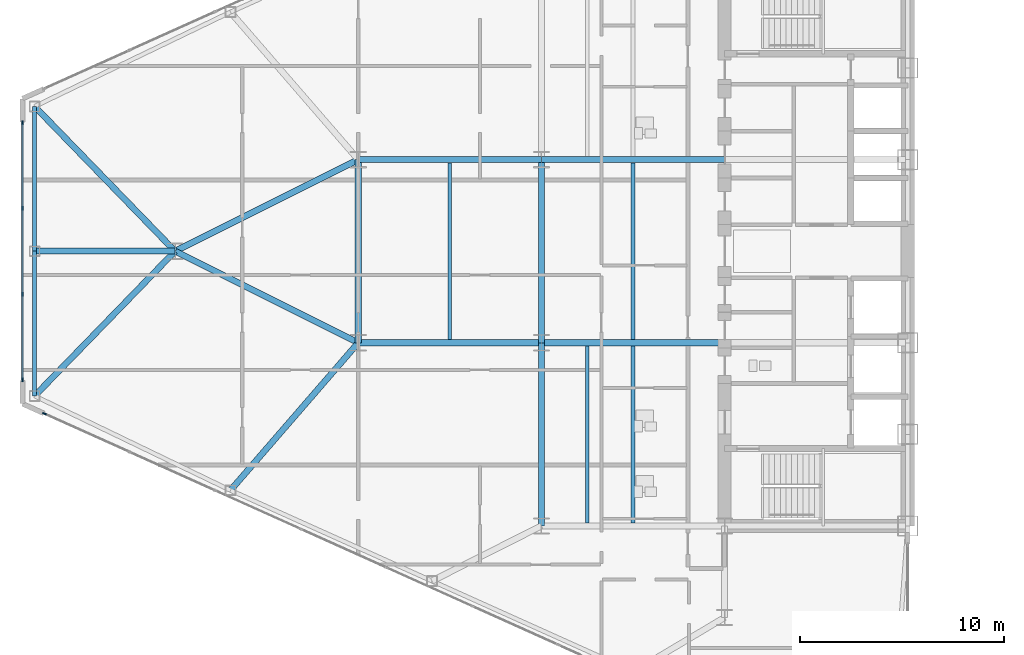
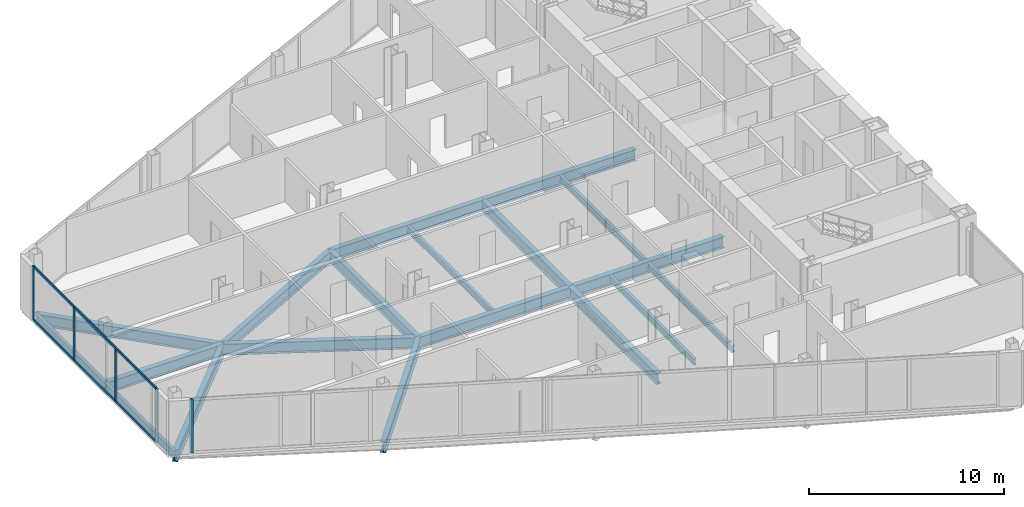
# One storey, part 5 of 27: 19 beams, 7 members, 2 elements without a shape of their own.
"""IFC4 building model written with IfcOpenShell, lengths in metres."""

from ifc_helpers import new_model, si_unit, direction, frame, origin, origin_2d, place, context, subcontext, project, spatial, rectangle, i_section, extrude, source, transform, mapped, material, layer, layer_set, material_profile, profile_set, type_object, type_shapes, element, aggregate, save


model = new_model("IFC4")

# Units and contexts
model_context = context("Model", 3, precision=1e-05, world=origin(), true_north=direction((0.0, 1.0)))
body_context = subcontext(model_context, "Body", "Model", "MODEL_VIEW")
ifc_project = project(units=[si_unit("LENGTHUNIT", "METRE"), si_unit("AREAUNIT", "SQUARE_METRE"), si_unit("VOLUMEUNIT", "CUBIC_METRE"), si_unit("PLANEANGLEUNIT", "RADIAN"), si_unit("MASSUNIT", "GRAM", prefix="KILO")], contexts=[model_context])

# Site, building, storey
site_placement = place(None, origin())
site = spatial("IfcSite", under=ifc_project, at=site_placement, CompositionType="ELEMENT")
building_placement = place(site_placement, origin())
building = spatial("IfcBuilding", under=site, at=building_placement, Name="Seokmaru Belvedere", CompositionType="ELEMENT")
storey_placement = place(building_placement, frame((0.0, 0.0, 103.199951171875)))
storey = spatial("IfcBuildingStorey", under=building, at=storey_placement, Name="L27", CompositionType="ELEMENT", Elevation=103.199951171875)

# Beams
ifc_material_1 = material(Name="Steel SM355 (355 MPa)", Category="steel")
ifc_material_profile_1 = material_profile(ifc_material_1, i_section(OverallWidth=0.300048828125, OverallDepth=0.699951171875, WebThickness=0.012939453125, FlangeThickness=0.02392578125, at=origin_2d()), Name="H-700x300x13x24")
ifc_profile_set_1 = profile_set([ifc_material_profile_1], Name="Steel SM355 (355 MPa)")
beam_type_1 = type_object("IfcBeamType", Name="Primary Floor Girder H-700", PredefinedType="BEAM", material=ifc_profile_set_1)
shared_shape_1 = source(origin(), body_context, "Body", "SweptSolid", [
    extrude(i_section(OverallWidth=0.300048828125, OverallDepth=0.699951171875, WebThickness=0.012939453125, FlangeThickness=0.02392578125, at=origin_2d()), origin(), (0.0, 0.0, 1.0), 9.0),
])
for number, where, z_axis, x_axis, name in (
    (1, (-45.5, -13.5, -0.570068359375), (0.0, 1.0, 0.0), (-1.0, 0.0, 0.0), "L27 W Interior Grid Girder 1"),
    (2, (-45.5, -4.5, -0.570068359375), (0.0, 1.0, 0.0), (-1.0, 0.0, 0.0), "L27 W Interior Grid Girder 2"),
    (3, (-45.5, -4.5, -0.570068359375), (1.0, 0.0, 0.0), (0.0, 1.0, 0.0), "L27 W Wing Primary Girder 2"),
    (4, (-45.5, 4.5, -0.570068359375), (1.0, 0.0, 0.0), (0.0, 1.0, 0.0), "L27 W Wing Primary Girder 3"),
    (5, (-54.5, -4.5, -0.570068359375), (1.0, 0.0, 0.0), (0.0, 1.0, 0.0), "L27 W Outer Wing Girder 1"),
    (6, (-54.5, 4.5, -0.570068359375), (1.0, 0.0, 0.0), (0.0, 1.0, 0.0), "L27 W Outer Wing Girder 2"),
    (7, (-54.5, -4.5, -0.570068359375), (0.0, 1.0, 0.0), (-1.0, 0.0, 0.0), "L27 W Apex Frame Girder"),
):
    element("IfcBeam", number, at=place(storey_placement, frame(where, z_axis=z_axis, x_axis=x_axis)), inside=storey, type_object=beam_type_1, Name=name, PredefinedType="BEAM", context=body_context, shape_type="MappedRepresentation", body=[
        mapped(shared_shape_1, transform((0.0, 0.0, 0.0), scale=1.0)),
    ])
shared_shape_2 = source(origin(), body_context, "Body", "SweptSolid", [
    extrude(i_section(OverallWidth=0.300048828125, OverallDepth=0.699951171875, WebThickness=0.012939453125, FlangeThickness=0.02392578125, at=origin_2d()), origin(), (0.0, 0.0, 1.0), 10.062255859375),
])
for number, where, z_axis, x_axis, name in (
    (8, (-54.5, -4.5, -0.570068359375), (-0.894427191, 0.4472135955, 0.0), (-0.4472135955, -0.894427191, 0.0), "L27 W Apex Converging Girder 1"),
    (9, (-54.5, 4.5, -0.570068359375), (-0.894427191, -0.4472135955, 0.0), (0.4472135955, -0.894427191, 0.0), "L27 W Apex Converging Girder 2"),
):
    element("IfcBeam", number, at=place(storey_placement, frame(where, z_axis=z_axis, x_axis=x_axis)), inside=storey, type_object=beam_type_1, Name=name, PredefinedType="BEAM", context=body_context, shape_type="MappedRepresentation", body=[
        mapped(shared_shape_2, transform((0.0, 0.0, 0.0), scale=1.0)),
    ])
ifc_material_profile_2 = material_profile(ifc_material_1, i_section(OverallWidth=0.18505859375, OverallDepth=0.389892578125, WebThickness=0.008056640625, FlangeThickness=0.011962890625, at=origin_2d()), Name="H-390x185x8x12")
ifc_profile_set_2 = profile_set([ifc_material_profile_2], Name="Steel SM355 (355 MPa)")
beam_type_2 = type_object("IfcBeamType", Name="Secondary Floor Joist H-350", PredefinedType="JOIST", material=ifc_profile_set_2)
shared_shape_3 = source(origin(), body_context, "Body", "SweptSolid", [
    extrude(i_section(OverallWidth=0.18505859375, OverallDepth=0.389892578125, WebThickness=0.008056640625, FlangeThickness=0.011962890625, at=origin_2d()), origin(), (0.0, 0.0, 1.0), 8.68994140625),
])
type_shapes(beam_type_2, [shared_shape_3])
for number, where, z_axis, x_axis, name in (
    (10, (-43.25, -13.344970703125, -0.4150390625), (0.0, 1.0, 0.0), (-1.0, 0.0, 0.0), "L27 W Wing Inner Secondary Joist 1"),
    (11, (-41.0, -13.344970703125, -0.4150390625), (0.0, 1.0, 0.0), (-1.0, 0.0, 0.0), "L27 W Secondary Floor Joist 1"),
    (12, (-41.0, -4.344970703125, -0.4150390625), (0.0, 1.0, 0.0), (-1.0, 0.0, 0.0), "L27 W Secondary Floor Joist 2"),
    (13, (-50.0, -4.344970703125, -0.4150390625), (0.0, 1.0, 0.0), (-1.0, 0.0, 0.0), "L27 W Outer Bay Secondary Joist"),
):
    element("IfcBeam", number, at=place(storey_placement, frame(where, z_axis=z_axis, x_axis=x_axis)), inside=storey, type_object=beam_type_2, Name=name, PredefinedType="JOIST", context=body_context, shape_type="MappedRepresentation", body=[
        mapped(shared_shape_3, transform((0.0, 0.0, 0.0), scale=1.0)),
    ])
ifc_material_profile_3 = material_profile(ifc_material_1, i_section(OverallWidth=0.199951171875, OverallDepth=0.5, WebThickness=0.010009765625, FlangeThickness=0.01611328125, at=origin_2d()), Name="H-500x200x10x16")
ifc_profile_set_3 = profile_set([ifc_material_profile_3], Name="Steel SM355 (355 MPa)")
beam_type_3 = type_object("IfcBeamType", Name="Perimeter Spandrel Beam H-500", PredefinedType="SPANDREL", material=ifc_profile_set_3)
shared_shape_4 = source(origin(), body_context, "Body", "SweptSolid", [
    extrude(i_section(OverallWidth=0.199951171875, OverallDepth=0.5, WebThickness=0.010009765625, FlangeThickness=0.01611328125, at=origin_2d()), origin(), (0.0, 0.0, 1.0), 7.112060546875),
])
type_shapes(beam_type_3, [shared_shape_4])
for number, where, z_axis, x_axis, name in (
    (14, (-70.39990234375, -7.112060546875, -0.469970703125), (0.0, 1.0, 0.0), (-1.0, 0.0, 0.0), "L27 W Faceted Apex Spandrel S"),
    (15, (-70.39990234375, 0.0, -0.469970703125), (0.0, 1.0, 0.0), (-1.0, 0.0, 0.0), "L27 W Faceted Apex Spandrel N"),
):
    element("IfcBeam", number, at=place(storey_placement, frame(where, z_axis=z_axis, x_axis=x_axis)), inside=storey, type_object=beam_type_3, Name=name, PredefinedType="SPANDREL", context=body_context, shape_type="MappedRepresentation", body=[
        mapped(shared_shape_4, transform((0.0, 0.0, 0.0), scale=1.0)),
    ])
shared_shape_5 = source(origin(), body_context, "Body", "SweptSolid", [
    extrude(i_section(OverallWidth=0.300048828125, OverallDepth=0.699951171875, WebThickness=0.012939453125, FlangeThickness=0.02392578125, at=origin_2d()), origin(), (0.0, 0.0, 1.0), 9.589599609375),
])
beam_1_placement = place(storey_placement, frame((-60.777587890625, -11.749267578125, -0.570068359375), z_axis=(0.654626140929, 0.755952786629, 0.0), x_axis=(-0.755952786629, 0.654626140929, 0.0)))
element("IfcBeam", 16, at=beam_1_placement, inside=storey, type_object=beam_type_1, Name="L27 W Flank Radial Floor Girder S-3", PredefinedType="BEAM", context=body_context, shape_type="MappedRepresentation", body=[
    mapped(shared_shape_5, transform((0.0, 0.0, 0.0), scale=1.0)),
])
shared_shape_6 = source(origin(), body_context, "Body", "SweptSolid", [
    extrude(i_section(OverallWidth=0.300048828125, OverallDepth=0.699951171875, WebThickness=0.012939453125, FlangeThickness=0.02392578125, at=origin_2d()), origin(), (0.0, 0.0, 1.0), 9.9091796875),
])
for number, where, z_axis, x_axis, name in (
    (17, (-70.39990234375, -7.112060546875, -0.570068359375), (0.6963205089, 0.717730972499, 0.0), (-0.717730972499, 0.6963205089, 0.0), "L27 W Apex Radial Floor Girder 1"),
    (18, (-70.39990234375, 7.112060546875, -0.570068359375), (0.6963205089, -0.717730972499, 0.0), (0.717730972499, 0.6963205089, 0.0), "L27 W Apex Radial Floor Girder 2"),
):
    element("IfcBeam", number, at=place(storey_placement, frame(where, z_axis=z_axis, x_axis=x_axis)), inside=storey, type_object=beam_type_1, Name=name, PredefinedType="BEAM", context=body_context, shape_type="MappedRepresentation", body=[
        mapped(shared_shape_6, transform((0.0, 0.0, 0.0), scale=1.0)),
    ])
shared_shape_7 = source(origin(), body_context, "Body", "SweptSolid", [
    extrude(i_section(OverallWidth=0.300048828125, OverallDepth=0.699951171875, WebThickness=0.012939453125, FlangeThickness=0.02392578125, at=origin_2d()), origin(), (0.0, 0.0, 1.0), 6.89990234375),
])
type_shapes(beam_type_1, [shared_shape_1, shared_shape_2, shared_shape_5, shared_shape_6, shared_shape_7])
beam_2_placement = place(storey_placement, frame((-70.39990234375, 0.0, -0.570068359375), z_axis=(1.0, 0.0, 0.0), x_axis=(0.0, 1.0, 0.0)))
element("IfcBeam", 19, at=beam_2_placement, inside=storey, type_object=beam_type_1, Name="L27 W Apex Center Radial Girder", PredefinedType="BEAM", context=body_context, shape_type="MappedRepresentation", body=[
    mapped(shared_shape_7, transform((0.0, 0.0, 0.0), scale=1.0)),
])

# Curtain wall, members
ifc_material_2 = material(Name="Bronze Triple Insulating Glass", Category="glass")
ifc_layer = layer(ifc_material_2, 0.195068359375)
ifc_layer_set = layer_set([ifc_layer], Name="Bronze Triple Insulating Glass")
curtain_wall_type = type_object("IfcCurtainWallType", Name="Lower-Mid Tapered Curtain Wall System CW-3", PredefinedType="NOTDEFINED", material=ifc_layer_set)
curtain_wall_1_placement = place(storey_placement, origin())
curtain_wall_1 = element("IfcCurtainWall", 20, at=curtain_wall_1_placement, inside=storey, type_object=curtain_wall_type, Name="L27 Curtain Wall WF4", PredefinedType="NOTDEFINED")
ifc_material_3 = material(Name="Anodised Bronze Aluminium", Category="aluminium")
ifc_material_profile_4 = material_profile(ifc_material_3, rectangle(XDim=0.070068359375, YDim=0.195068359375, at=origin_2d()), Name="CW-M-70x195")
ifc_profile_set_4 = profile_set([ifc_material_profile_4], Name="Anodised Bronze Aluminium")
member_type_1 = type_object("IfcMemberType", Name="Bronze Unitised Mullion 70x195", PredefinedType="MULLION", material=ifc_profile_set_4)
shared_shape_8 = source(origin(), body_context, "Body", "SweptSolid", [
    extrude(rectangle(XDim=0.070068359375, YDim=0.195068359375, at=origin_2d()), origin(), (0.0, 0.0, 1.0), 3.239990234375),
])
member_1_placement = place(storey_placement, frame((-71.0, 2.11669921875, 0.070068359375), z_axis=(0.0, 0.0, 1.0), x_axis=(1.0, 0.0, 0.0)))
member_1 = element("IfcMember", 21, at=member_1_placement, type_object=member_type_1, Name="CW:L27:WF4 Mullion 2", PredefinedType="MULLION", context=body_context, shape_type="MappedRepresentation", body=[
    mapped(shared_shape_8, transform((0.0, 0.0, 0.0), scale=1.0)),
])
member_2_placement = place(storey_placement, frame((-71.0, -2.11669921875, 0.070068359375), z_axis=(0.0, 0.0, 1.0), x_axis=(1.0, 0.0, 0.0)))
member_2 = element("IfcMember", 22, at=member_2_placement, type_object=member_type_1, Name="CW:L27:WF4 Mullion 3", PredefinedType="MULLION", context=body_context, shape_type="MappedRepresentation", body=[
    mapped(shared_shape_8, transform((0.0, 0.0, 0.0), scale=1.0)),
])
ifc_material_profile_5 = material_profile(ifc_material_3, rectangle(XDim=0.070068359375, YDim=0.1650390625, at=origin_2d()), Name="CW-T-70x165")
ifc_profile_set_5 = profile_set([ifc_material_profile_5], Name="Anodised Bronze Aluminium")
member_type_2 = type_object("IfcMemberType", Name="Bronze Unitised Transom 70x165", PredefinedType="USERDEFINED", material=ifc_profile_set_5)
shared_shape_9 = source(origin(), body_context, "Body", "SweptSolid", [
    extrude(rectangle(XDim=0.070068359375, YDim=0.1650390625, at=origin_2d()), origin(), (0.0, 0.0, 1.0), 12.56005859375),
])
type_shapes(member_type_2, [shared_shape_9])
member_3_placement = place(storey_placement, frame((-71.0, 6.280029296875, 0.03515625), z_axis=(0.0, -1.0, 0.0), x_axis=(1.0, 0.0, 0.0)))
member_3 = element("IfcMember", 23, at=member_3_placement, type_object=member_type_2, Name="CW:L27:WF4 Continuous Transom 1", ObjectType="TRANSOM", PredefinedType="USERDEFINED", context=body_context, shape_type="MappedRepresentation", body=[
    mapped(shared_shape_9, transform((0.0, 0.0, 0.0), scale=1.0)),
])
member_4_placement = place(storey_placement, frame((-71.0, 6.280029296875, 3.344970703125), z_axis=(0.0, -1.0, 0.0), x_axis=(1.0, 0.0, 0.0)))
member_4 = element("IfcMember", 24, at=member_4_placement, type_object=member_type_2, Name="CW:L27:WF4 Continuous Transom 2", ObjectType="TRANSOM", PredefinedType="USERDEFINED", context=body_context, shape_type="MappedRepresentation", body=[
    mapped(shared_shape_9, transform((0.0, 0.0, 0.0), scale=1.0)),
])
shared_shape_10 = source(origin(), body_context, "Body", "SweptSolid", [
    extrude(rectangle(XDim=0.070068359375, YDim=0.195068359375, at=origin_2d()), origin(), (0.0, 0.0, 1.0), 3.380126953125),
])
type_shapes(member_type_1, [shared_shape_8, shared_shape_10])
member_5_placement = place(storey_placement, frame((-71.0, 6.31494140625, 0.0), z_axis=(0.0, 0.0, 1.0), x_axis=(1.0, 0.0, 0.0)))
member_5 = element("IfcMember", 25, at=member_5_placement, type_object=member_type_1, Name="CW:L27:WF4 Mullion 1", PredefinedType="MULLION", context=body_context, shape_type="MappedRepresentation", body=[
    mapped(shared_shape_10, transform((0.0, 0.0, 0.0), scale=1.0)),
])
member_6_placement = place(storey_placement, frame((-71.0, -6.31494140625, 0.0), z_axis=(0.0, 0.0, 1.0), x_axis=(1.0, 0.0, 0.0)))
member_6 = element("IfcMember", 26, at=member_6_placement, type_object=member_type_1, Name="CW:L27:WF4 Mullion 4", PredefinedType="MULLION", context=body_context, shape_type="MappedRepresentation", body=[
    mapped(shared_shape_10, transform((0.0, 0.0, 0.0), scale=1.0)),
])
aggregate(curtain_wall_1, [member_5, member_1, member_2, member_6, member_3, member_4])

# Curtain wall, member
curtain_wall_2_placement = place(storey_placement, origin())
curtain_wall_2 = element("IfcCurtainWall", 27, at=curtain_wall_2_placement, inside=storey, type_object=curtain_wall_type, Name="L27 Curtain Wall WF5", PredefinedType="NOTDEFINED")
member_7_placement = place(storey_placement, frame((-69.91943359375, -7.986328125, 0.0), z_axis=(0.0, 0.0, 1.0), x_axis=(0.41036554765, 0.91192111353, 0.0)))
member_7 = element("IfcMember", 28, at=member_7_placement, type_object=member_type_1, Name="CW:L27:WF5 Mullion 1", PredefinedType="MULLION", context=body_context, shape_type="MappedRepresentation", body=[
    mapped(shared_shape_10, transform((0.0, 0.0, 0.0), scale=1.0)),
])
aggregate(curtain_wall_2, [member_7])

save(model, "model.ifc")
